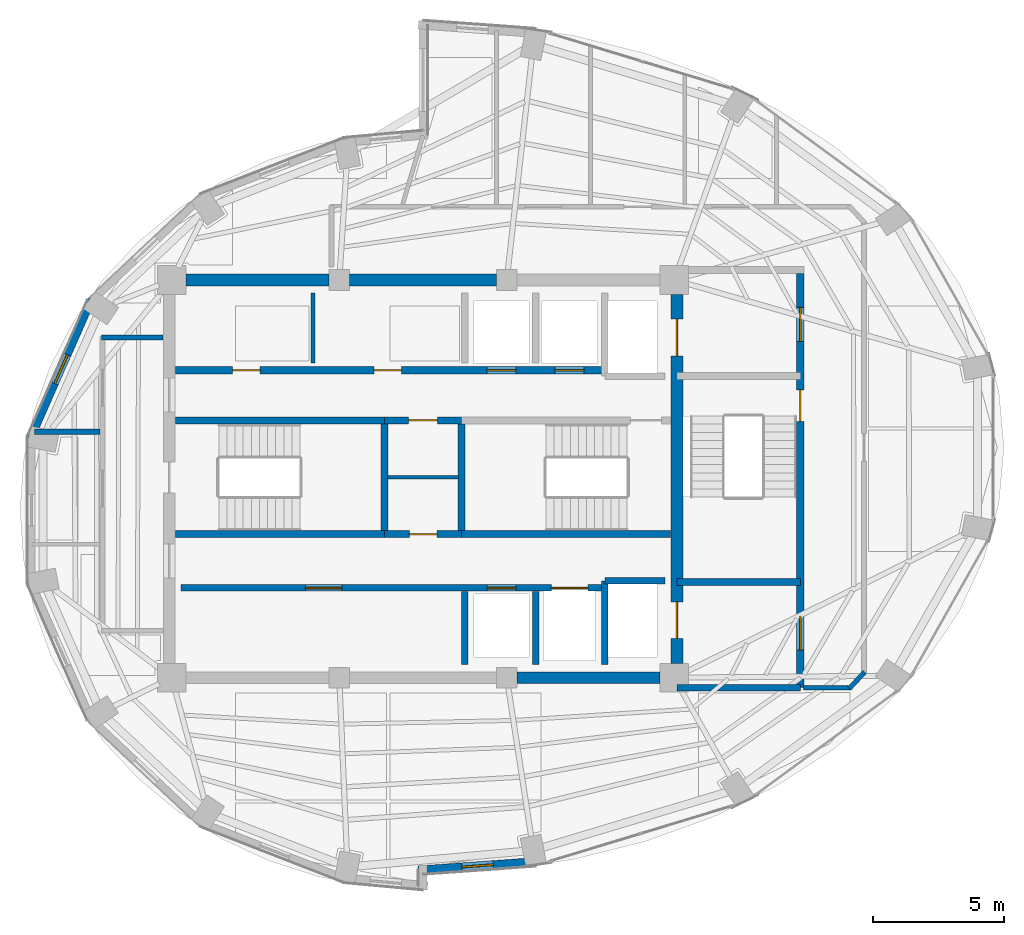
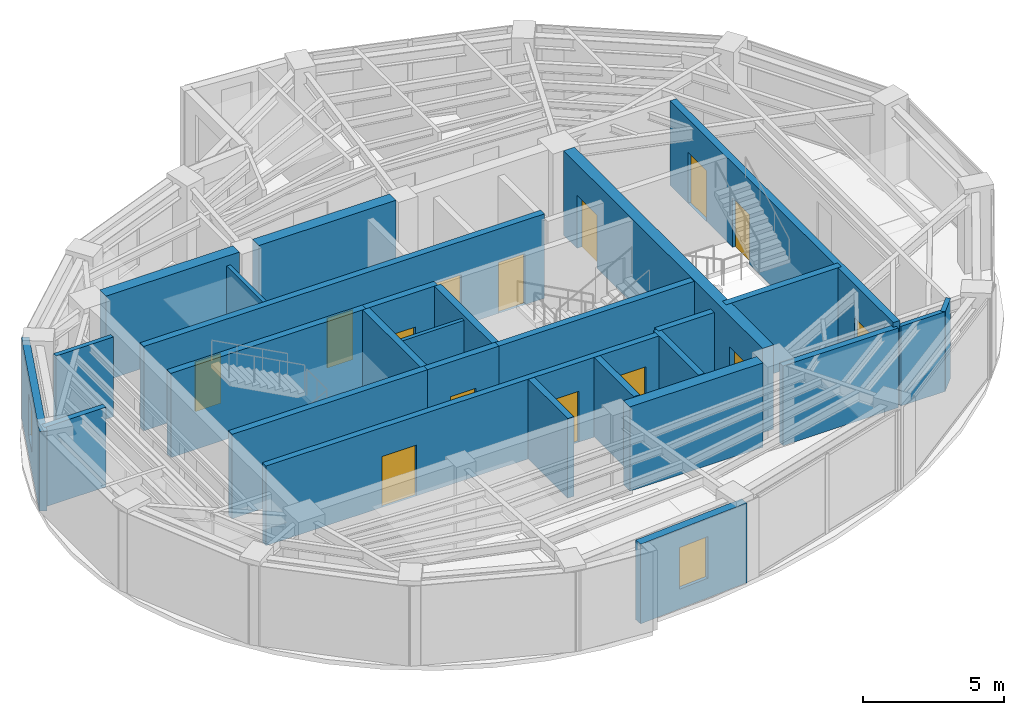
# One storey, part 9 of 13: 28 walls, 14 doors, 2 windows, 16 openings.
"""IFC4 building model written with IfcOpenShell, lengths in metres."""

from ifc_helpers import new_model, si_unit, direction, frame, frame_2d, origin, place, context, subcontext, project, spatial, rectangle, extrude, material, layer, layer_set, type_object, element, fill, save


model = new_model("IFC4")

# Units and contexts
model_context = context("Model", 3, precision=1e-05, world=origin(), true_north=direction((0.0, 1.0)))
body_context = subcontext(model_context, "Body", "Model", "MODEL_VIEW")
ifc_project = project(units=[si_unit("LENGTHUNIT", "METRE"), si_unit("AREAUNIT", "SQUARE_METRE"), si_unit("VOLUMEUNIT", "CUBIC_METRE"), si_unit("PLANEANGLEUNIT", "RADIAN"), si_unit("MASSUNIT", "GRAM", prefix="KILO")], contexts=[model_context])

# Site, building, storey
site_placement = place(None, origin())
site = spatial("IfcSite", under=ifc_project, at=site_placement, CompositionType="ELEMENT")
building_placement = place(site_placement, origin())
building = spatial("IfcBuilding", under=site, at=building_placement, Name="Lazwardi Medical Tower", CompositionType="ELEMENT")
storey_placement = place(building_placement, frame((0.0, 0.0, 295.152099609375)))
storey = spatial("IfcBuildingStorey", under=building, at=storey_placement, Name="L77", CompositionType="ELEMENT", Elevation=295.152099609375)

# Walls
ifc_material_1 = material(Name="Fire-rated gypsum board on steel stud", Category="steel")
ifc_layer_1 = layer(ifc_material_1, 0.179931640625)
ifc_layer_set_1 = layer_set([ifc_layer_1], Name="Fire-rated gypsum board on steel stud")
wall_type_1 = type_object("IfcWallType", Name="WL-COR-180", PredefinedType="PARTITIONING", material=ifc_layer_set_1)
wall_1_placement = place(storey_placement, frame((52.877197265625, 20.619140625, 0.0), z_axis=(0.0, 0.0, 1.0), x_axis=(-0.682409308253, -0.730970270264, 0.0)))
element("IfcWall", 1, at=wall_1_placement, inside=storey, type_object=wall_type_1, Name="L77 Corridor partition 5", PredefinedType="PARTITIONING", context=body_context, shape_type="SweptSolid", body=[
    extrude(rectangle(XDim=0.859619140625, YDim=0.179931640625, at=frame_2d((0.4296875, 0.0))), origin(), (0.0, 0.0, 1.0), 3.447998046875),
])
wall_2_placement = place(storey_placement, frame((52.35791015625, 20.02001953125, 0.0), z_axis=(0.0, 0.0, 1.0), x_axis=(-1.0, 0.0, 0.0)))
element("IfcWall", 2, at=wall_2_placement, inside=storey, type_object=wall_type_1, Name="L77 Corridor partition 6", PredefinedType="PARTITIONING", context=body_context, shape_type="SweptSolid", body=[
    extrude(rectangle(XDim=1.81787109375, YDim=0.179931640625, at=frame_2d((0.908935546875, 0.0))), origin(), (0.0, 0.0, 1.0), 3.447998046875),
])
wall_3_placement = place(storey_placement, frame((23.7099609375, 33.39990234375, 0.0), z_axis=(0.0, 0.0, 1.0), x_axis=(1.0, 0.0, 0.0)))
element("IfcWall", 3, at=wall_3_placement, inside=storey, type_object=wall_type_1, Name="L77 Corridor partition 9", PredefinedType="PARTITIONING", context=body_context, shape_type="SweptSolid", body=[
    extrude(rectangle(XDim=2.35009765625, YDim=0.179931640625, at=frame_2d((1.175048828125, 0.0))), origin(), (0.0, 0.0, 1.0), 3.447998046875),
])

# Wall, openings, doors
ifc_material_2 = material(Name="Concrete C60/75", Category="concrete")
ifc_layer_2 = layer(ifc_material_2, 0.449951171875)
ifc_layer_set_2 = layer_set([ifc_layer_2], Name="Concrete C60/75")
wall_type_2 = type_object("IfcWallType", Name="WL-CORE-450", PredefinedType="SHEAR", material=ifc_layer_set_2)
wall_4_placement = place(storey_placement, frame((45.699951171875, 20.949951171875, 0.0), z_axis=(0.0, 0.0, 1.0), x_axis=(0.0, 1.0, 0.0)))
wall_4 = element("IfcWall", 4, at=wall_4_placement, inside=storey, type_object=wall_type_2, Name="Core wall CW-S4 east L77", PredefinedType="SHEAR", context=body_context, shape_type="SweptSolid", body=[
    extrude(rectangle(XDim=14.10009765625, YDim=0.449951171875, at=frame_2d((7.050048828125, 0.0))), origin(), (0.0, 0.0, 1.0), 3.64794921875),
])
opening_1_placement = place(wall_4_placement, frame((11.75, 0.0, 0.0)))
opening_1 = element("IfcOpeningElement", 5, at=opening_1_placement, cuts=wall_4, Name="Opening LD-L77-001", PredefinedType="OPENING", context=body_context, shape_type="SweptSolid", body=[
    extrude(rectangle(XDim=1.39990234375, YDim=2.300048828125, at=frame_2d((0.699951171875, 1.14990234375))), frame((0.0, 0.23486328125, 0.0), z_axis=(0.0, -1.0, 0.0), x_axis=(1.0, 0.0, 0.0)), (0.0, 0.0, 1.0), 0.469970703125),
])
opening_2_placement = place(wall_4_placement, frame((0.949951171875, 0.0, 0.0)))
opening_2 = element("IfcOpeningElement", 6, at=opening_2_placement, cuts=wall_4, Name="Opening LD-L77-002", PredefinedType="OPENING", context=body_context, shape_type="SweptSolid", body=[
    extrude(rectangle(XDim=1.39990234375, YDim=2.300048828125, at=frame_2d((0.699951171875, 1.14990234375))), frame((0.0, 0.23486328125, 0.0), z_axis=(0.0, -1.0, 0.0), x_axis=(1.0, 0.0, 0.0)), (0.0, 0.0, 1.0), 0.469970703125),
])
ifc_material_3 = material(Name="Brushed stainless steel bed-lift landing door", Category="steel")
door_type_1 = type_object("IfcDoorType", Name="DR-LFT-1400", OperationType="NOTDEFINED", PredefinedType="DOOR", material=ifc_material_3)
door_1_placement = place(opening_1_placement, origin())
door_1 = element("IfcDoor", 7, at=door_1_placement, inside=storey, type_object=door_type_1, Name="L77 Lift Landing Door FL-01", OperationType="SLIDING_TO_LEFT", OverallHeight=2.300048828125, OverallWidth=1.39990234375, PredefinedType="DOOR", context=body_context, shape_type="SweptSolid", body=[
    extrude(rectangle(XDim=1.39990234375, YDim=2.300048828125, at=frame_2d((0.699951171875, 1.14990234375))), frame((0.0, 0.02490234375, 0.0), z_axis=(0.0, -1.0, 0.0), x_axis=(1.0, 0.0, 0.0)), (0.0, 0.0, 1.0), 0.050048828125),
])
fill(opening_1, door_1)
door_2_placement = place(opening_2_placement, origin())
door_2 = element("IfcDoor", 8, at=door_2_placement, inside=storey, type_object=door_type_1, Name="L77 Lift Landing Door FL-02", OperationType="SLIDING_TO_LEFT", OverallHeight=2.300048828125, OverallWidth=1.39990234375, PredefinedType="DOOR", context=body_context, shape_type="SweptSolid", body=[
    extrude(rectangle(XDim=1.39990234375, YDim=2.300048828125, at=frame_2d((0.699951171875, 1.14990234375))), frame((0.0, 0.02490234375, 0.0), z_axis=(0.0, -1.0, 0.0), x_axis=(1.0, 0.0, 0.0)), (0.0, 0.0, 1.0), 0.050048828125),
])
fill(opening_2, door_2)

# Walls
wall_5_placement = place(storey_placement, frame((26.949951171875, 35.60009765625, 0.0), z_axis=(0.0, 0.0, 1.0), x_axis=(1.0, 0.0, 0.0)))
element("IfcWall", 9, at=wall_5_placement, inside=storey, type_object=wall_type_2, Name="Core wall CW-S4 N1 L77", PredefinedType="SHEAR", context=body_context, shape_type="SweptSolid", body=[
    extrude(rectangle(XDim=5.449951171875, YDim=0.449951171875, at=frame_2d((2.72509765625, 0.0))), origin(), (0.0, 0.0, 1.0), 3.64794921875),
])
wall_6_placement = place(storey_placement, frame((33.199951171875, 35.60009765625, 0.0), z_axis=(0.0, 0.0, 1.0), x_axis=(1.0, 0.0, 0.0)))
element("IfcWall", 10, at=wall_6_placement, inside=storey, type_object=wall_type_2, Name="Core wall CW-S4 N2 L77", PredefinedType="SHEAR", context=body_context, shape_type="SweptSolid", body=[
    extrude(rectangle(XDim=5.60009765625, YDim=0.449951171875, at=frame_2d((2.800048828125, 0.0))), origin(), (0.0, 0.0, 1.0), 3.64794921875),
])
wall_7_placement = place(storey_placement, frame((39.60009765625, 20.39990234375, 0.0), z_axis=(0.0, 0.0, 1.0), x_axis=(1.0, 0.0, 0.0)))
element("IfcWall", 11, at=wall_7_placement, inside=storey, type_object=wall_type_2, Name="Core wall CW-S4 S3 L77", PredefinedType="SHEAR", context=body_context, shape_type="SweptSolid", body=[
    extrude(rectangle(XDim=5.449951171875, YDim=0.449951171875, at=frame_2d((2.72509765625, 0.0))), origin(), (0.0, 0.0, 1.0), 3.64794921875),
])

# Wall, opening, window
ifc_material_4 = material(Name="Precast concrete C45/55", Category="concrete")
ifc_layer_3 = layer(ifc_material_4, 0.280029296875)
ifc_layer_set_3 = layer_set([ifc_layer_3], Name="Precast concrete C45/55")
wall_type_3 = type_object("IfcWallType", Name="WL-DRUM-280", PredefinedType="SOLIDWALL", material=ifc_layer_set_3)
wall_8_placement = place(storey_placement, frame((23.35205078125, 34.869384765625, 0.0), z_axis=(0.0, 0.0, 1.0), x_axis=(-0.402882523888, -0.915251698685, 0.0)))
wall_8 = element("IfcWall", 12, at=wall_8_placement, inside=storey, type_object=wall_type_3, Name="L77 West Drum Precast Wall 3", PredefinedType="SOLIDWALL", context=body_context, shape_type="SweptSolid", body=[
    extrude(rectangle(XDim=5.855712890625, YDim=0.280029296875, at=frame_2d((2.927734375, 0.0))), origin(), (0.0, 0.0, 1.0), 3.447998046875),
])
opening_3_placement = place(wall_8_placement, frame((2.327880859375, 0.0, 0.85009765625)))
opening_3 = element("IfcOpeningElement", 13, at=opening_3_placement, cuts=wall_8, Name="Opening WN-04", PredefinedType="OPENING", context=body_context, shape_type="SweptSolid", body=[
    extrude(rectangle(XDim=1.199951171875, YDim=1.800048828125, at=frame_2d((0.60009765625, 0.89990234375))), frame((0.0, 0.14990234375, 0.0), z_axis=(0.0, -1.0, 0.0), x_axis=(1.0, 0.0, 0.0)), (0.0, 0.0, 1.0), 0.300048828125),
])
ifc_material_5 = material(Name="Low-e bronze solar control double glazing", Category="glass")
window_type = type_object("IfcWindowType", Name="WIN-DRUM-1200", PartitioningType="SINGLE_PANEL", PredefinedType="WINDOW", material=ifc_material_5)
window_1_placement = place(opening_3_placement, origin())
window_1 = element("IfcWindow", 14, at=window_1_placement, inside=storey, type_object=window_type, Name="L77 West Drum Window 3", OverallHeight=1.800048828125, OverallWidth=1.199951171875, PartitioningType="SINGLE_PANEL", PredefinedType="WINDOW", context=body_context, shape_type="SweptSolid", body=[
    extrude(rectangle(XDim=1.199951171875, YDim=1.800048828125, at=frame_2d((0.60009765625, 0.89990234375))), frame((0.0, 0.030029296875, 0.0), z_axis=(0.0, -1.0, 0.0), x_axis=(1.0, 0.0, 0.0)), (0.0, 0.0, 1.0), 0.06005859375),
])
fill(opening_3, window_1)

ifc_layer_4 = layer(ifc_material_4, 0.320068359375)
ifc_layer_set_4 = layer_set([ifc_layer_4], Name="Precast concrete C45/55")
wall_type_4 = type_object("IfcWallType", Name="WL-IWAN-320", PredefinedType="SOLIDWALL", material=ifc_layer_set_4)
wall_9_placement = place(storey_placement, frame((35.820556640625, 13.047119140625, 0.0), z_axis=(0.0, 0.0, 1.0), x_axis=(0.997409061056, 0.071938619141, 0.0)))
wall_9 = element("IfcWall", 15, at=wall_9_placement, inside=storey, type_object=wall_type_4, Name="L77 Iwan Portal Return Wall SE_ret", PredefinedType="SOLIDWALL", context=body_context, shape_type="SweptSolid", body=[
    extrude(rectangle(XDim=4.540771484375, YDim=0.320068359375, at=frame_2d((2.2705078125, 0.0))), origin(), (0.0, 0.0, 1.0), 3.447998046875),
])
opening_4_placement = place(wall_9_placement, frame((1.67041015625, 0.0, 0.85009765625)))
opening_4 = element("IfcOpeningElement", 16, at=opening_4_placement, cuts=wall_9, Name="Opening WN-04", PredefinedType="OPENING", context=body_context, shape_type="SweptSolid", body=[
    extrude(rectangle(XDim=1.199951171875, YDim=1.800048828125, at=frame_2d((0.60009765625, 0.89990234375))), frame((0.0, 0.169921875, 0.0), z_axis=(0.0, -1.0, 0.0), x_axis=(1.0, 0.0, 0.0)), (0.0, 0.0, 1.0), 0.340087890625),
])
window_2_placement = place(opening_4_placement, origin())
window_2 = element("IfcWindow", 17, at=window_2_placement, inside=storey, type_object=window_type, Name="L77 Iwan Slot Window SE_ret", OverallHeight=1.800048828125, OverallWidth=1.199951171875, PartitioningType="SINGLE_PANEL", PredefinedType="WINDOW", context=body_context, shape_type="SweptSolid", body=[
    extrude(rectangle(XDim=1.199951171875, YDim=1.800048828125, at=frame_2d((0.60009765625, 0.89990234375))), frame((0.0, 0.030029296875, 0.0), z_axis=(0.0, -1.0, 0.0), x_axis=(1.0, 0.0, 0.0)), (0.0, 0.0, 1.0), 0.06005859375),
])
fill(opening_4, window_2)

# Wall, openings, doors
ifc_material_6 = material(Name="Autoclaved aerated concrete blockwork", Category="masonry")
ifc_layer_5 = layer(ifc_material_6, 0.25)
ifc_layer_set_5 = layer_set([ifc_layer_5], Name="Autoclaved aerated concrete blockwork")
wall_type_5 = type_object("IfcWallType", Name="WL-SHAFT-250", PredefinedType="SOLIDWALL", material=ifc_layer_set_5)
wall_10_placement = place(storey_placement, frame((26.75, 23.830078125, 0.0), z_axis=(0.0, 0.0, 1.0), x_axis=(1.0, 0.0, 0.0)))
wall_10 = element("IfcWall", 18, at=wall_10_placement, inside=storey, type_object=wall_type_5, Name="L77 South lift bank front wall", PredefinedType="SOLIDWALL", context=body_context, shape_type="SweptSolid", body=[
    extrude(rectangle(XDim=16.199951171875, YDim=0.25, at=frame_2d((8.10009765625, 0.0))), origin(), (0.0, 0.0, 1.0), 3.447998046875),
])
opening_5_placement = place(wall_10_placement, frame((4.75, 0.0, 0.0)))
opening_5 = element("IfcOpeningElement", 19, at=opening_5_placement, cuts=wall_10, Name="Opening D-L77-005", PredefinedType="OPENING", context=body_context, shape_type="SweptSolid", body=[
    extrude(rectangle(XDim=1.39990234375, YDim=2.199951171875, at=frame_2d((0.699951171875, 1.10009765625))), frame((0.0, 0.135009765625, 0.0), z_axis=(0.0, -1.0, 0.0), x_axis=(1.0, 0.0, 0.0)), (0.0, 0.0, 1.0), 0.27001953125),
])
opening_6_placement = place(wall_10_placement, frame((11.699951171875, 0.0, 0.0)))
opening_6 = element("IfcOpeningElement", 20, at=opening_6_placement, cuts=wall_10, Name="Opening LD-L77-006", PredefinedType="OPENING", context=body_context, shape_type="SweptSolid", body=[
    extrude(rectangle(XDim=1.10009765625, YDim=2.199951171875, at=frame_2d((0.550048828125, 1.10009765625))), frame((0.0, 0.135009765625, 0.0), z_axis=(0.0, -1.0, 0.0), x_axis=(1.0, 0.0, 0.0)), (0.0, 0.0, 1.0), 0.27001953125),
])
opening_7_placement = place(wall_10_placement, frame((14.14990234375, 0.0, 0.0)))
opening_7 = element("IfcOpeningElement", 21, at=opening_7_placement, cuts=wall_10, Name="Opening LD-L77-003", PredefinedType="OPENING", context=body_context, shape_type="SweptSolid", body=[
    extrude(rectangle(XDim=1.39990234375, YDim=2.300048828125, at=frame_2d((0.699951171875, 1.14990234375))), frame((0.0, 0.135009765625, 0.0), z_axis=(0.0, -1.0, 0.0), x_axis=(1.0, 0.0, 0.0)), (0.0, 0.0, 1.0), 0.27001953125),
])
ifc_material_7 = material(Name="Anti-microbial laminate hospital leaf")
door_type_2 = type_object("IfcDoorType", Name="DR-BED-1400", OperationType="NOTDEFINED", PredefinedType="DOOR", material=ifc_material_7)
door_3_placement = place(opening_5_placement, origin())
door_3 = element("IfcDoor", 22, at=door_3_placement, inside=storey, type_object=door_type_2, Name="L77 Core Dialysis Door", OperationType="SINGLE_SWING_LEFT", OverallHeight=2.199951171875, OverallWidth=1.39990234375, PredefinedType="DOOR", context=body_context, shape_type="SweptSolid", body=[
    extrude(rectangle(XDim=1.39990234375, YDim=2.199951171875, at=frame_2d((0.699951171875, 1.10009765625))), frame((0.0, 0.02490234375, 0.0), z_axis=(0.0, -1.0, 0.0), x_axis=(1.0, 0.0, 0.0)), (0.0, 0.0, 1.0), 0.050048828125),
])
fill(opening_5, door_3)
ifc_material_8 = material(Name="Brushed bronze stainless steel landing door", Category="steel")
door_type_3 = type_object("IfcDoorType", Name="DR-LFT-1100", OperationType="NOTDEFINED", PredefinedType="DOOR", material=ifc_material_8)
door_4_placement = place(opening_6_placement, origin())
door_4 = element("IfcDoor", 23, at=door_4_placement, inside=storey, type_object=door_type_3, Name="L77 Lift Landing Door PL-11", OperationType="SLIDING_TO_LEFT", OverallHeight=2.199951171875, OverallWidth=1.10009765625, PredefinedType="DOOR", context=body_context, shape_type="SweptSolid", body=[
    extrude(rectangle(XDim=1.10009765625, YDim=2.199951171875, at=frame_2d((0.550048828125, 1.10009765625))), frame((0.0, 0.02490234375, 0.0), z_axis=(0.0, -1.0, 0.0), x_axis=(1.0, 0.0, 0.0)), (0.0, 0.0, 1.0), 0.050048828125),
])
fill(opening_6, door_4)
door_5_placement = place(opening_7_placement, origin())
door_5 = element("IfcDoor", 24, at=door_5_placement, inside=storey, type_object=door_type_1, Name="L77 Lift Landing Door FL-03", OperationType="SLIDING_TO_LEFT", OverallHeight=2.300048828125, OverallWidth=1.39990234375, PredefinedType="DOOR", context=body_context, shape_type="SweptSolid", body=[
    extrude(rectangle(XDim=1.39990234375, YDim=2.300048828125, at=frame_2d((0.699951171875, 1.14990234375))), frame((0.0, 0.02490234375, 0.0), z_axis=(0.0, -1.0, 0.0), x_axis=(1.0, 0.0, 0.0)), (0.0, 0.0, 1.0), 0.050048828125),
])
fill(opening_7, door_5)

# Walls
wall_11_placement = place(storey_placement, frame((42.949951171875, 20.89990234375, 0.0), z_axis=(0.0, 0.0, 1.0), x_axis=(0.0, 1.0, 0.0)))
element("IfcWall", 25, at=wall_11_placement, inside=storey, type_object=wall_type_5, Name="L77 FL-02 West shaft wall", PredefinedType="SOLIDWALL", context=body_context, shape_type="SweptSolid", body=[
    extrude(rectangle(XDim=3.2001953125, YDim=0.25, at=frame_2d((1.60009765625, 0.0))), origin(), (0.0, 0.0, 1.0), 3.447998046875),
])
wall_12_placement = place(storey_placement, frame((42.949951171875, 24.10009765625, 0.0), z_axis=(0.0, 0.0, 1.0), x_axis=(1.0, 0.0, 0.0)))
element("IfcWall", 26, at=wall_12_placement, inside=storey, type_object=wall_type_5, Name="L77 FL-02 North shaft wall", PredefinedType="SOLIDWALL", context=body_context, shape_type="SweptSolid", body=[
    extrude(rectangle(XDim=2.300048828125, YDim=0.25, at=frame_2d((1.14990234375, 0.0))), origin(), (0.0, 0.0, 1.0), 3.447998046875),
])
for number, where, z_axis, x_axis, name in (
    (27, (37.60009765625, 20.89990234375, 0.0), (0.0, 0.0, 1.0), (0.0, 1.0, 0.0), "L77 South hoistway divider"),
    (28, (40.300048828125, 20.89990234375, 0.0), (0.0, 0.0, 1.0), (0.0, 1.0, 0.0), "L77 South hoistway divider"),
):
    element("IfcWall", number, at=place(storey_placement, frame(where, z_axis=z_axis, x_axis=x_axis)), inside=storey, type_object=wall_type_5, Name=name, PredefinedType="SOLIDWALL", context=body_context, shape_type="SweptSolid", body=[
        extrude(rectangle(XDim=2.800048828125, YDim=0.25, at=frame_2d((1.39990234375, 0.0))), origin(), (0.0, 0.0, 1.0), 3.447998046875),
    ])
wall_13_placement = place(storey_placement, frame((45.699951171875, 20.02001953125, 0.0), z_axis=(0.0, 0.0, 1.0), x_axis=(1.0, 0.0, 0.0)))
element("IfcWall", 29, at=wall_13_placement, inside=storey, type_object=wall_type_5, Name="L77 FFL-S South wall", PredefinedType="SOLIDWALL", context=body_context, shape_type="SweptSolid", body=[
    extrude(rectangle(XDim=4.715087890625, YDim=0.25, at=frame_2d((2.357421875, 0.0))), origin(), (0.0, 0.0, 1.0), 3.447998046875),
])
ifc_layer_6 = layer(ifc_material_1, 0.219970703125)
ifc_layer_set_6 = layer_set([ifc_layer_6], Name="Fire-rated gypsum board on steel stud")
wall_type_6 = type_object("IfcWallType", Name="WL-SMK-220", PredefinedType="PARTITIONING", material=ifc_layer_set_6)
wall_14_placement = place(storey_placement, frame((21.155517578125, 29.800048828125, 0.0), z_axis=(0.0, 0.0, 1.0), x_axis=(1.0, 0.0, 0.0)))
element("IfcWall", 30, at=wall_14_placement, inside=storey, type_object=wall_type_6, Name="L77 Room partition 2", PredefinedType="PARTITIONING", context=body_context, shape_type="SweptSolid", body=[
    extrude(rectangle(XDim=2.50439453125, YDim=0.219970703125, at=frame_2d((1.252197265625, 0.0))), origin(), (0.0, 0.0, 1.0), 3.447998046875),
])
ifc_material_9 = material(Name="Concrete C50/60", Category="concrete")
ifc_layer_7 = layer(ifc_material_9, 0.27001953125)
ifc_layer_set_7 = layer_set([ifc_layer_7], Name="Concrete C50/60")
wall_type_7 = type_object("IfcWallType", Name="WL-STR-250", PredefinedType="SHEAR", material=ifc_layer_set_7)
wall_15_placement = place(storey_placement, frame((26.550048828125, 30.235107421875, 0.0), z_axis=(0.0, 0.0, 1.0), x_axis=(1.0, 0.0, 0.0)))
element("IfcWall", 31, at=wall_15_placement, inside=storey, type_object=wall_type_7, Name="L77 ST1 North shear shaft wall SW-S1", PredefinedType="SHEAR", context=body_context, shape_type="SweptSolid", body=[
    extrude(rectangle(XDim=7.98486328125, YDim=0.27001953125, at=frame_2d((3.992431640625, 0.0))), origin(), (0.0, 0.0, 1.0), 3.64794921875),
])

# Wall, opening, door
wall_16_placement = place(storey_placement, frame((34.534912109375, 30.235107421875, 0.0), z_axis=(0.0, 0.0, 1.0), x_axis=(1.0, 0.0, 0.0)))
wall_16 = element("IfcWall", 32, at=wall_16_placement, inside=storey, type_object=wall_type_7, Name="L77 Core service North shear wall SW-S1", PredefinedType="SHEAR", context=body_context, shape_type="SweptSolid", body=[
    extrude(rectangle(XDim=2.93017578125, YDim=0.27001953125, at=frame_2d((1.465087890625, 0.0))), origin(), (0.0, 0.0, 1.0), 3.64794921875),
])
opening_8_placement = place(wall_16_placement, frame((0.9150390625, 0.0, 0.0)))
opening_8 = element("IfcOpeningElement", 33, at=opening_8_placement, cuts=wall_16, Name="Opening D-L77-002", PredefinedType="OPENING", context=body_context, shape_type="SweptSolid", body=[
    extrude(rectangle(XDim=1.10009765625, YDim=2.14990234375, at=frame_2d((0.550048828125, 1.074951171875))), frame((0.0, 0.14501953125, 0.0), z_axis=(0.0, -1.0, 0.0), x_axis=(1.0, 0.0, 0.0)), (0.0, 0.0, 1.0), 0.2900390625),
])
ifc_material_10 = material(Name="Fire-rated steel leaf and frame", Category="steel")
door_type_4 = type_object("IfcDoorType", Name="DR-PLT-1100", OperationType="NOTDEFINED", PredefinedType="DOOR", material=ifc_material_10)
door_6_placement = place(opening_8_placement, origin())
door_6 = element("IfcDoor", 34, at=door_6_placement, inside=storey, type_object=door_type_4, Name="L77 Electrical Room Door", OperationType="SINGLE_SWING_RIGHT", OverallHeight=2.14990234375, OverallWidth=1.10009765625, PredefinedType="DOOR", context=body_context, shape_type="SweptSolid", body=[
    extrude(rectangle(XDim=1.10009765625, YDim=2.14990234375, at=frame_2d((0.550048828125, 1.074951171875))), frame((0.0, 0.02490234375, 0.0), z_axis=(0.0, -1.0, 0.0), x_axis=(1.0, 0.0, 0.0)), (0.0, 0.0, 1.0), 0.050048828125),
])
fill(opening_8, door_6)

# Wall
wall_17_placement = place(storey_placement, frame((26.550048828125, 25.885009765625, 0.0), z_axis=(0.0, 0.0, 1.0), x_axis=(1.0, 0.0, 0.0)))
element("IfcWall", 35, at=wall_17_placement, inside=storey, type_object=wall_type_7, Name="L77 ST1 South shear shaft wall SW-S1", PredefinedType="SHEAR", context=body_context, shape_type="SweptSolid", body=[
    extrude(rectangle(XDim=7.98486328125, YDim=0.27001953125, at=frame_2d((3.992431640625, 0.0))), origin(), (0.0, 0.0, 1.0), 3.64794921875),
])

# Wall, opening, door
wall_18_placement = place(storey_placement, frame((34.534912109375, 25.885009765625, 0.0), z_axis=(0.0, 0.0, 1.0), x_axis=(1.0, 0.0, 0.0)))
wall_18 = element("IfcWall", 36, at=wall_18_placement, inside=storey, type_object=wall_type_7, Name="L77 Core service South shear wall SW-S1", PredefinedType="SHEAR", context=body_context, shape_type="SweptSolid", body=[
    extrude(rectangle(XDim=2.93017578125, YDim=0.27001953125, at=frame_2d((1.465087890625, 0.0))), origin(), (0.0, 0.0, 1.0), 3.64794921875),
])
opening_9_placement = place(wall_18_placement, frame((0.93994140625, 0.0, 0.0)))
opening_9 = element("IfcOpeningElement", 37, at=opening_9_placement, cuts=wall_18, Name="Opening D-L77-001", PredefinedType="OPENING", context=body_context, shape_type="SweptSolid", body=[
    extrude(rectangle(XDim=1.050048828125, YDim=2.14990234375, at=frame_2d((0.52490234375, 1.074951171875))), frame((0.0, 0.14501953125, 0.0), z_axis=(0.0, -1.0, 0.0), x_axis=(1.0, 0.0, 0.0)), (0.0, 0.0, 1.0), 0.2900390625),
])
door_type_5 = type_object("IfcDoorType", Name="DR-CLN-1050", OperationType="NOTDEFINED", PredefinedType="DOOR", material=ifc_material_7)
door_7_placement = place(opening_9_placement, origin())
door_7 = element("IfcDoor", 38, at=door_7_placement, inside=storey, type_object=door_type_5, Name="L77 Dirty Sluice Door", OperationType="SINGLE_SWING_LEFT", OverallHeight=2.14990234375, OverallWidth=1.050048828125, PredefinedType="DOOR", context=body_context, shape_type="SweptSolid", body=[
    extrude(rectangle(XDim=1.050048828125, YDim=2.14990234375, at=frame_2d((0.52490234375, 1.074951171875))), frame((0.0, 0.02490234375, 0.0), z_axis=(0.0, -1.0, 0.0), x_axis=(1.0, 0.0, 0.0)), (0.0, 0.0, 1.0), 0.050048828125),
])
fill(opening_9, door_7)

# Walls
wall_19_placement = place(storey_placement, frame((37.465087890625, 25.885009765625, 0.0), z_axis=(0.0, 0.0, 1.0), x_axis=(1.0, 0.0, 0.0)))
element("IfcWall", 39, at=wall_19_placement, inside=storey, type_object=wall_type_7, Name="L77 ST2 South shear shaft wall SW-S1", PredefinedType="SHEAR", context=body_context, shape_type="SweptSolid", body=[
    extrude(rectangle(XDim=7.98486328125, YDim=0.27001953125, at=frame_2d((3.992431640625, 0.0))), origin(), (0.0, 0.0, 1.0), 3.64794921875),
])
for number, where, z_axis, x_axis, name in (
    (40, (34.534912109375, 26.02001953125, 0.0), (0.0, 0.0, 1.0), (0.0, 1.0, 0.0), "L77 ST1 East shear shaft wall SW-S1"),
    (41, (37.465087890625, 26.02001953125, 0.0), (0.0, 0.0, 1.0), (0.0, 1.0, 0.0), "L77 ST2 West shear shaft wall SW-S1"),
):
    element("IfcWall", number, at=place(storey_placement, frame(where, z_axis=z_axis, x_axis=x_axis)), inside=storey, type_object=wall_type_7, Name=name, PredefinedType="SHEAR", context=body_context, shape_type="SweptSolid", body=[
        extrude(rectangle(XDim=4.080078125, YDim=0.27001953125, at=frame_2d((2.0400390625, 0.0))), origin(), (0.0, 0.0, 1.0), 3.64794921875),
    ])

# Wall, openings, doors
wall_20_placement = place(storey_placement, frame((26.550048828125, 32.14990234375, 0.0), z_axis=(0.0, 0.0, 1.0), x_axis=(1.0, 0.0, 0.0)))
wall_20 = element("IfcWall", 42, at=wall_20_placement, inside=storey, type_object=wall_type_7, Name="L77 North lift bank shear wall SW-S1", PredefinedType="SHEAR", context=body_context, shape_type="SweptSolid", body=[
    extrude(rectangle(XDim=16.39990234375, YDim=0.27001953125, at=frame_2d((8.199951171875, 0.0))), origin(), (0.0, 0.0, 1.0), 3.64794921875),
])
opening_10_placement = place(wall_20_placement, frame((2.175048828125, 0.0, 0.0)))
opening_10 = element("IfcOpeningElement", 43, at=opening_10_placement, cuts=wall_20, Name="Opening D-L77-003", PredefinedType="OPENING", context=body_context, shape_type="SweptSolid", body=[
    extrude(rectangle(XDim=1.050048828125, YDim=2.14990234375, at=frame_2d((0.52490234375, 1.074951171875))), frame((0.0, 0.14501953125, 0.0), z_axis=(0.0, -1.0, 0.0), x_axis=(1.0, 0.0, 0.0)), (0.0, 0.0, 1.0), 0.2900390625),
])
opening_11_placement = place(wall_20_placement, frame((7.574951171875, 0.0, 0.0)))
opening_11 = element("IfcOpeningElement", 44, at=opening_11_placement, cuts=wall_20, Name="Opening D-L77-004", PredefinedType="OPENING", context=body_context, shape_type="SweptSolid", body=[
    extrude(rectangle(XDim=1.050048828125, YDim=2.14990234375, at=frame_2d((0.52490234375, 1.074951171875))), frame((0.0, 0.14501953125, 0.0), z_axis=(0.0, -1.0, 0.0), x_axis=(1.0, 0.0, 0.0)), (0.0, 0.0, 1.0), 0.2900390625),
])
opening_12_placement = place(wall_20_placement, frame((11.89990234375, 0.0, 0.0)))
opening_12 = element("IfcOpeningElement", 45, at=opening_12_placement, cuts=wall_20, Name="Opening LD-L77-004", PredefinedType="OPENING", context=body_context, shape_type="SweptSolid", body=[
    extrude(rectangle(XDim=1.10009765625, YDim=2.199951171875, at=frame_2d((0.550048828125, 1.10009765625))), frame((0.0, 0.14501953125, 0.0), z_axis=(0.0, -1.0, 0.0), x_axis=(1.0, 0.0, 0.0)), (0.0, 0.0, 1.0), 0.2900390625),
])
opening_13_placement = place(wall_20_placement, frame((14.5, 0.0, 0.0)))
opening_13 = element("IfcOpeningElement", 46, at=opening_13_placement, cuts=wall_20, Name="Opening LD-L77-005", PredefinedType="OPENING", context=body_context, shape_type="SweptSolid", body=[
    extrude(rectangle(XDim=1.10009765625, YDim=2.199951171875, at=frame_2d((0.550048828125, 1.10009765625))), frame((0.0, 0.14501953125, 0.0), z_axis=(0.0, -1.0, 0.0), x_axis=(1.0, 0.0, 0.0)), (0.0, 0.0, 1.0), 0.2900390625),
])
door_8_placement = place(opening_10_placement, origin())
door_8 = element("IfcDoor", 47, at=door_8_placement, inside=storey, type_object=door_type_5, Name="L77 Core Consult Door", OperationType="SINGLE_SWING_LEFT", OverallHeight=2.14990234375, OverallWidth=1.050048828125, PredefinedType="DOOR", context=body_context, shape_type="SweptSolid", body=[
    extrude(rectangle(XDim=1.050048828125, YDim=2.14990234375, at=frame_2d((0.52490234375, 1.074951171875))), frame((0.0, 0.02490234375, 0.0), z_axis=(0.0, -1.0, 0.0), x_axis=(1.0, 0.0, 0.0)), (0.0, 0.0, 1.0), 0.050048828125),
])
fill(opening_10, door_8)
door_9_placement = place(opening_11_placement, origin())
door_9 = element("IfcDoor", 48, at=door_9_placement, inside=storey, type_object=door_type_5, Name="L77 Core Pharmacy Door", OperationType="SINGLE_SWING_RIGHT", OverallHeight=2.14990234375, OverallWidth=1.050048828125, PredefinedType="DOOR", context=body_context, shape_type="SweptSolid", body=[
    extrude(rectangle(XDim=1.050048828125, YDim=2.14990234375, at=frame_2d((0.52490234375, 1.074951171875))), frame((0.0, 0.02490234375, 0.0), z_axis=(0.0, -1.0, 0.0), x_axis=(1.0, 0.0, 0.0)), (0.0, 0.0, 1.0), 0.050048828125),
])
fill(opening_11, door_9)
door_10_placement = place(opening_12_placement, origin())
door_10 = element("IfcDoor", 49, at=door_10_placement, inside=storey, type_object=door_type_3, Name="L77 Lift Landing Door PL-09", OperationType="SLIDING_TO_LEFT", OverallHeight=2.199951171875, OverallWidth=1.10009765625, PredefinedType="DOOR", context=body_context, shape_type="SweptSolid", body=[
    extrude(rectangle(XDim=1.10009765625, YDim=2.199951171875, at=frame_2d((0.550048828125, 1.10009765625))), frame((0.0, 0.02490234375, 0.0), z_axis=(0.0, -1.0, 0.0), x_axis=(1.0, 0.0, 0.0)), (0.0, 0.0, 1.0), 0.050048828125),
])
fill(opening_12, door_10)
door_11_placement = place(opening_13_placement, origin())
door_11 = element("IfcDoor", 50, at=door_11_placement, inside=storey, type_object=door_type_3, Name="L77 Lift Landing Door PL-10", OperationType="SLIDING_TO_LEFT", OverallHeight=2.199951171875, OverallWidth=1.10009765625, PredefinedType="DOOR", context=body_context, shape_type="SweptSolid", body=[
    extrude(rectangle(XDim=1.10009765625, YDim=2.199951171875, at=frame_2d((0.550048828125, 1.10009765625))), frame((0.0, 0.02490234375, 0.0), z_axis=(0.0, -1.0, 0.0), x_axis=(1.0, 0.0, 0.0)), (0.0, 0.0, 1.0), 0.050048828125),
])
fill(opening_13, door_11)

wall_21_placement = place(storey_placement, frame((50.4150390625, 35.844970703125, 0.0), z_axis=(0.0, 0.0, 1.0), x_axis=(0.0, -1.0, 0.0)))
wall_21 = element("IfcWall", 51, at=wall_21_placement, inside=storey, type_object=wall_type_7, Name="L77 East ST3 & FFL shear wall SW-S1", PredefinedType="SHEAR", context=body_context, shape_type="SweptSolid", body=[
    extrude(rectangle(XDim=15.824951171875, YDim=0.27001953125, at=frame_2d((7.91259765625, 0.0))), origin(), (0.0, 0.0, 1.0), 3.64794921875),
])
opening_14_placement = place(wall_21_placement, frame((4.445068359375, 0.0, 0.0)))
opening_14 = element("IfcOpeningElement", 52, at=opening_14_placement, cuts=wall_21, Name="Opening D-L77-019", PredefinedType="OPENING", context=body_context, shape_type="SweptSolid", body=[
    extrude(rectangle(XDim=1.199951171875, YDim=2.14990234375, at=frame_2d((0.60009765625, 1.074951171875))), frame((0.0, 0.14501953125, 0.0), z_axis=(0.0, -1.0, 0.0), x_axis=(1.0, 0.0, 0.0)), (0.0, 0.0, 1.0), 0.2900390625),
])
opening_15_placement = place(wall_21_placement, frame((1.294921875, 0.0, 0.0)))
opening_15 = element("IfcOpeningElement", 53, at=opening_15_placement, cuts=wall_21, Name="Opening D-L77-006", PredefinedType="OPENING", context=body_context, shape_type="SweptSolid", body=[
    extrude(rectangle(XDim=1.300048828125, YDim=2.199951171875, at=frame_2d((0.64990234375, 1.10009765625))), frame((0.0, 0.14501953125, 0.0), z_axis=(0.0, -1.0, 0.0), x_axis=(1.0, 0.0, 0.0)), (0.0, 0.0, 1.0), 0.2900390625),
])
opening_16_placement = place(wall_21_placement, frame((13.094970703125, 0.0, 0.0)))
opening_16 = element("IfcOpeningElement", 54, at=opening_16_placement, cuts=wall_21, Name="Opening D-L77-007", PredefinedType="OPENING", context=body_context, shape_type="SweptSolid", body=[
    extrude(rectangle(XDim=1.300048828125, YDim=2.199951171875, at=frame_2d((0.64990234375, 1.10009765625))), frame((0.0, 0.14501953125, 0.0), z_axis=(0.0, -1.0, 0.0), x_axis=(1.0, 0.0, 0.0)), (0.0, 0.0, 1.0), 0.2900390625),
])
door_type_6 = type_object("IfcDoorType", Name="DR-FFL-1300", OperationType="NOTDEFINED", PredefinedType="DOOR", material=ifc_material_10)
door_12_placement = place(opening_15_placement, origin())
door_12 = element("IfcDoor", 55, at=door_12_placement, inside=storey, type_object=door_type_6, Name="L77 Fire-Fighting Lobby North Door", OperationType="SINGLE_SWING_LEFT", OverallHeight=2.199951171875, OverallWidth=1.300048828125, PredefinedType="DOOR", context=body_context, shape_type="SweptSolid", body=[
    extrude(rectangle(XDim=1.300048828125, YDim=2.199951171875, at=frame_2d((0.64990234375, 1.10009765625))), frame((0.0, 0.02490234375, 0.0), z_axis=(0.0, -1.0, 0.0), x_axis=(1.0, 0.0, 0.0)), (0.0, 0.0, 1.0), 0.050048828125),
])
fill(opening_15, door_12)
door_13_placement = place(opening_16_placement, origin())
door_13 = element("IfcDoor", 56, at=door_13_placement, inside=storey, type_object=door_type_6, Name="L77 Fire-Fighting Lobby South Door", OperationType="SINGLE_SWING_RIGHT", OverallHeight=2.199951171875, OverallWidth=1.300048828125, PredefinedType="DOOR", context=body_context, shape_type="SweptSolid", body=[
    extrude(rectangle(XDim=1.300048828125, YDim=2.199951171875, at=frame_2d((0.64990234375, 1.10009765625))), frame((0.0, 0.02490234375, 0.0), z_axis=(0.0, -1.0, 0.0), x_axis=(1.0, 0.0, 0.0)), (0.0, 0.0, 1.0), 0.050048828125),
])
fill(opening_16, door_13)
door_type_7 = type_object("IfcDoorType", Name="DR-STR-1200", OperationType="NOTDEFINED", PredefinedType="DOOR", material=ifc_material_10)
door_14_placement = place(opening_14_placement, origin())
door_14 = element("IfcDoor", 57, at=door_14_placement, inside=storey, type_object=door_type_7, Name="L77 Exit Stair ST3 Door", OperationType="SINGLE_SWING_RIGHT", OverallHeight=2.14990234375, OverallWidth=1.199951171875, PredefinedType="DOOR", context=body_context, shape_type="SweptSolid", body=[
    extrude(rectangle(XDim=1.199951171875, YDim=2.14990234375, at=frame_2d((0.60009765625, 1.074951171875))), frame((0.0, 0.02490234375, 0.0), z_axis=(0.0, -1.0, 0.0), x_axis=(1.0, 0.0, 0.0)), (0.0, 0.0, 1.0), 0.050048828125),
])
fill(opening_14, door_14)

# Walls
wall_22_placement = place(storey_placement, frame((45.699951171875, 24.06494140625, 0.0), z_axis=(0.0, 0.0, 1.0), x_axis=(1.0, 0.0, 0.0)))
element("IfcWall", 58, at=wall_22_placement, inside=storey, type_object=wall_type_7, Name="L77 ST3 South shear shaft wall SW-S1", PredefinedType="SHEAR", context=body_context, shape_type="SweptSolid", body=[
    extrude(rectangle(XDim=4.715087890625, YDim=0.27001953125, at=frame_2d((2.357421875, 0.0))), origin(), (0.0, 0.0, 1.0), 3.64794921875),
])
ifc_material_11 = material(Name="Acoustic gypsum board partition")
ifc_layer_8 = layer(ifc_material_11, 0.14990234375)
ifc_layer_set_8 = layer_set([ifc_layer_8], Name="Acoustic gypsum board partition")
wall_type_8 = type_object("IfcWallType", Name="WL-WRD-150", PredefinedType="PARTITIONING", material=ifc_layer_set_8)
wall_23_placement = place(storey_placement, frame((34.64990234375, 28.06005859375, 0.0), z_axis=(0.0, 0.0, 1.0), x_axis=(1.0, 0.0, 0.0)))
element("IfcWall", 59, at=wall_23_placement, inside=storey, type_object=wall_type_8, Name="L77 Core service divider", PredefinedType="PARTITIONING", context=body_context, shape_type="SweptSolid", body=[
    extrude(rectangle(XDim=2.7001953125, YDim=0.14990234375, at=frame_2d((1.35009765625, 0.0))), origin(), (0.0, 0.0, 1.0), 3.447998046875),
])
wall_24_placement = place(storey_placement, frame((31.800048828125, 32.419921875, 0.0), z_axis=(0.0, 0.0, 1.0), x_axis=(0.0, 1.0, 0.0)))
element("IfcWall", 60, at=wall_24_placement, inside=storey, type_object=wall_type_8, Name="L77 Freed bay2 N split", PredefinedType="PARTITIONING", context=body_context, shape_type="SweptSolid", body=[
    extrude(rectangle(XDim=2.68017578125, YDim=0.14990234375, at=frame_2d((1.340087890625, 0.0))), origin(), (0.0, 0.0, 1.0), 3.447998046875),
])

save(model, "model.ifc")
